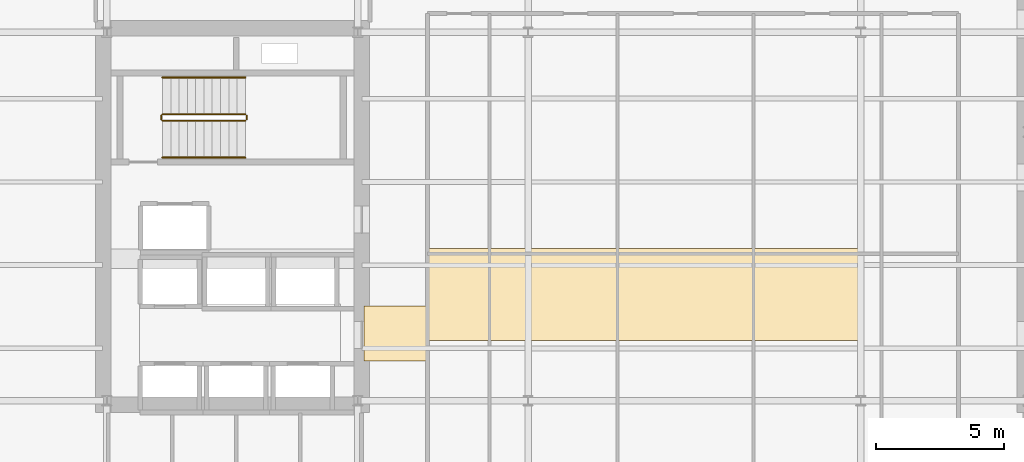
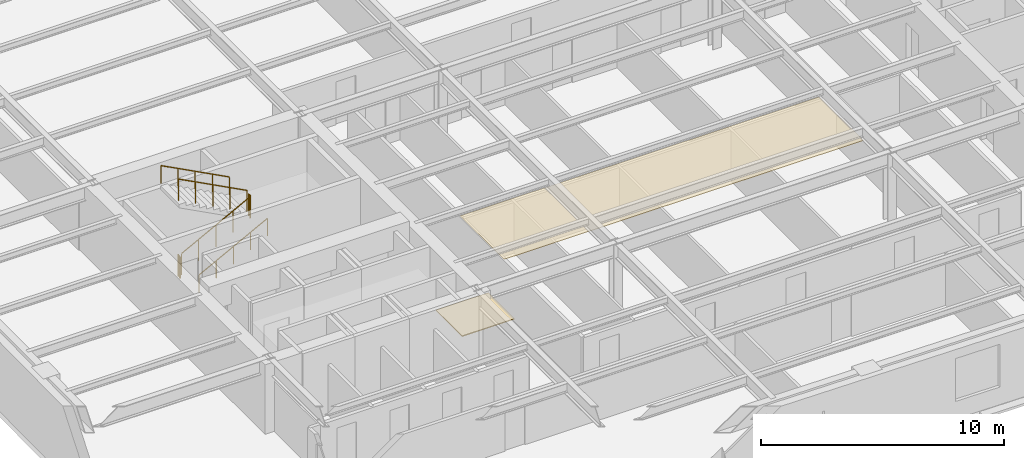
# One storey, part 9 of 12: 6 railings, 2 coverings.
"""IFC4 building model written with IfcOpenShell, lengths in metres."""

from ifc_helpers import new_model, si_unit, direction, frame, origin, origin_2d, place, context, subcontext, project, spatial, polyline, circle, outline, extrude, material, layer, layer_set, type_object, element, save


model = new_model("IFC4")

# Units and contexts
model_context = context("Model", 3, precision=1e-05, world=origin(), true_north=direction((0.0, 1.0)))
body_context = subcontext(model_context, "Body", "Model", "MODEL_VIEW")
ifc_project = project(units=[si_unit("LENGTHUNIT", "METRE"), si_unit("AREAUNIT", "SQUARE_METRE"), si_unit("VOLUMEUNIT", "CUBIC_METRE"), si_unit("PLANEANGLEUNIT", "RADIAN"), si_unit("MASSUNIT", "GRAM", prefix="KILO")], contexts=[model_context])

# Site, building, storey
site_placement = place(None, origin())
site = spatial("IfcSite", under=ifc_project, at=site_placement, CompositionType="ELEMENT")
building_placement = place(site_placement, origin())
building = spatial("IfcBuilding", under=site, at=building_placement, Name="Kolvaren Arena Tower", CompositionType="ELEMENT")
storey_placement = place(building_placement, frame((0.0, 0.0, 165.949951171875)))
storey = spatial("IfcBuildingStorey", under=building, at=storey_placement, Name="L39", CompositionType="ELEMENT", Elevation=165.949951171875)

# Coverings
ifc_material_1 = material(Name="Mineral fibre acoustic ceiling tile", Category="gypsum")
ifc_layer_1 = layer(ifc_material_1, 0.02490234375)
ifc_layer_set_1 = layer_set([ifc_layer_1], Name="Mineral fibre acoustic ceiling tile")
covering_type_1 = type_object("IfcCoveringType", Name="CEIL-ACT-1", PredefinedType="CEILING", material=ifc_layer_set_1)
covering_1_placement = place(storey_placement, frame((0.0, 0.0, 2.52001953125)))
element("IfcCovering", 1, at=covering_1_placement, inside=storey, type_object=covering_type_1, Name="Suspended Ceiling (L39)", PredefinedType="CEILING", context=body_context, shape_type="SweptSolid", body=[
    extrude(outline(polyline([(27.050048828125, 21.800048828125), (27.050048828125, 25.39990234375), (44.10009765625, 25.39990234375), (44.10009765625, 21.800048828125), (27.050048828125, 21.800048828125)])), origin(), (0.0, 0.0, 1.0), 0.025146484375),
])
ifc_material_2 = material(Name="Raised access office floor finish", Category="aluminium")
ifc_layer_2 = layer(ifc_material_2, 0.044921875)
ifc_layer_set_2 = layer_set([ifc_layer_2], Name="Raised access office floor finish")
covering_type_2 = type_object("IfcCoveringType", Name="FLOR-RAF-1", PredefinedType="FLOORING", material=ifc_layer_set_2)
covering_2_placement = place(storey_placement, origin())
element("IfcCovering", 2, at=covering_2_placement, inside=storey, type_object=covering_type_2, Name="Floor Finish (L39)", PredefinedType="FLOORING", context=body_context, shape_type="SweptSolid", body=[
    extrude(outline(polyline([(24.60009765625, 21.0), (24.60009765625, 23.14990234375), (27.080078125, 23.14990234375), (27.080078125, 21.0), (24.60009765625, 21.0)])), origin(), (0.0, 0.0, 1.0), 0.045166015625),
])

# Railings
ifc_material_3 = material(Name="Painted galvanized steel", Category="steel")
railing_type_1 = type_object("IfcRailingType", Name="GUARD-ST-110", PredefinedType="GUARDRAIL", material=ifc_material_3)
railing_1_placement = place(storey_placement, frame((16.719970703125, 30.389892578125, 0.17041015625)))
element("IfcRailing", 3, at=railing_1_placement, inside=storey, type_object=railing_type_1, Name="L39 ST-W1 stair guard 1", PredefinedType="GUARDRAIL", context=body_context, shape_type="SweptSolid", body=[
    extrude(circle(Radius=0.02392578125, at=origin_2d()), frame((0.0, 0.0, 1.076171875), z_axis=(0.884993431791, 0.0, 0.465603506952), x_axis=(0.0, 1.0, 0.0)), (0.0, 0.0, 1.0), 3.6611328125),
    extrude(circle(Radius=0.02099609375, at=origin_2d()), origin(), (0.0, 0.0, 1.0), 1.052001953125),
    extrude(circle(Radius=0.02099609375, at=origin_2d()), frame((0.81005859375, 0.0, 0.42626953125)), (0.0, 0.0, 1.0), 1.052001953125),
    extrude(circle(Radius=0.02099609375, at=origin_2d()), frame((1.6201171875, 0.0, 0.852294921875)), (0.0, 0.0, 1.0), 1.052001953125),
    extrude(circle(Radius=0.02099609375, at=origin_2d()), frame((2.429931640625, 0.0, 1.2783203125)), (0.0, 0.0, 1.0), 1.052001953125),
    extrude(circle(Radius=0.02099609375, at=origin_2d()), frame((3.239990234375, 0.0, 1.70458984375)), (0.0, 0.0, 1.0), 1.052001953125),
])
railing_2_placement = place(storey_placement, frame((20.010009765625, 30.43994140625, 1.875)))
element("IfcRailing", 4, at=railing_2_placement, inside=storey, type_object=railing_type_1, Name="L39 ST-W1 stair guard 2", PredefinedType="GUARDRAIL", context=body_context, shape_type="SweptSolid", body=[
    extrude(circle(Radius=0.02392578125, at=origin_2d()), frame((0.0, 0.0, 1.076171875), z_axis=(0.0, 1.0, 0.0), x_axis=(-1.0, 0.0, 0.0)), (0.0, 0.0, 1.0), 0.150146484375),
    extrude(circle(Radius=0.02099609375, at=origin_2d()), origin(), (0.0, 0.0, 1.0), 1.052001953125),
    extrude(circle(Radius=0.02099609375, at=origin_2d()), frame((0.0, 0.150146484375, 0.0)), (0.0, 0.0, 1.0), 1.052001953125),
])
railing_3_placement = place(storey_placement, frame((19.9599609375, 30.639892578125, 2.04541015625)))
element("IfcRailing", 5, at=railing_3_placement, inside=storey, type_object=railing_type_1, Name="L39 ST-W1 stair guard 3", PredefinedType="GUARDRAIL", context=body_context, shape_type="SweptSolid", body=[
    extrude(circle(Radius=0.02392578125, at=origin_2d()), frame((0.0, 0.0, 1.076171875), z_axis=(-0.884993431791, 0.0, 0.465603506952), x_axis=(0.0, -1.0, 0.0)), (0.0, 0.0, 1.0), 3.6611328125),
    extrude(circle(Radius=0.02099609375, at=origin_2d()), origin(), (0.0, 0.0, 1.0), 1.052001953125),
    extrude(circle(Radius=0.02099609375, at=origin_2d()), frame((-0.81005859375, 0.0, 0.42626953125)), (0.0, 0.0, 1.0), 1.052001953125),
    extrude(circle(Radius=0.02099609375, at=origin_2d()), frame((-1.6201171875, 0.0, 0.852294921875)), (0.0, 0.0, 1.0), 1.052001953125),
    extrude(circle(Radius=0.02099609375, at=origin_2d()), frame((-2.429931640625, 0.0, 1.2783203125)), (0.0, 0.0, 1.0), 1.052001953125),
    extrude(circle(Radius=0.02099609375, at=origin_2d()), frame((-3.239990234375, 0.0, 1.70458984375)), (0.0, 0.0, 1.0), 1.052001953125),
])
railing_4_placement = place(storey_placement, frame((16.669921875, 30.43994140625, 0.0)))
element("IfcRailing", 6, at=railing_4_placement, inside=storey, type_object=railing_type_1, Name="L39 ST-W1 stair guard 4", PredefinedType="GUARDRAIL", context=body_context, shape_type="SweptSolid", body=[
    extrude(circle(Radius=0.02392578125, at=origin_2d()), frame((0.0, 0.0, 1.076171875), z_axis=(0.0, 1.0, 0.0), x_axis=(-1.0, 0.0, 0.0)), (0.0, 0.0, 1.0), 0.150146484375),
    extrude(circle(Radius=0.02099609375, at=origin_2d()), origin(), (0.0, 0.0, 1.0), 1.052001953125),
    extrude(circle(Radius=0.02099609375, at=origin_2d()), frame((0.0, 0.150146484375, 0.0)), (0.0, 0.0, 1.0), 1.052001953125),
])
ifc_material_4 = material(Name="Brushed stainless steel handrail", Category="steel")
railing_type_2 = type_object("IfcRailingType", Name="HRAIL-900", PredefinedType="HANDRAIL", material=ifc_material_4)
railing_5_placement = place(storey_placement, frame((16.719970703125, 28.949951171875, 0.17041015625)))
element("IfcRailing", 7, at=railing_5_placement, inside=storey, type_object=railing_type_2, Name="L39 ST-W1 stair handrail 1", PredefinedType="HANDRAIL", context=body_context, shape_type="SweptSolid", body=[
    extrude(circle(Radius=0.02392578125, at=origin_2d()), frame((0.0, 0.0, 0.8759765625), z_axis=(0.884993431791, 0.0, 0.465603506952), x_axis=(0.0, 1.0, 0.0)), (0.0, 0.0, 1.0), 3.6611328125),
    extrude(circle(Radius=0.02099609375, at=origin_2d()), origin(), (0.0, 0.0, 1.0), 0.851806640625),
    extrude(circle(Radius=0.02099609375, at=origin_2d()), frame((0.81005859375, 0.0, 0.42626953125)), (0.0, 0.0, 1.0), 0.851806640625),
    extrude(circle(Radius=0.02099609375, at=origin_2d()), frame((1.6201171875, 0.0, 0.852294921875)), (0.0, 0.0, 1.0), 0.851806640625),
    extrude(circle(Radius=0.02099609375, at=origin_2d()), frame((2.429931640625, 0.0, 1.2783203125)), (0.0, 0.0, 1.0), 0.851806640625),
    extrude(circle(Radius=0.02099609375, at=origin_2d()), frame((3.239990234375, 0.0, 1.70458984375)), (0.0, 0.0, 1.0), 0.851806640625),
])
railing_6_placement = place(storey_placement, frame((19.9599609375, 32.080078125, 2.04541015625)))
element("IfcRailing", 8, at=railing_6_placement, inside=storey, type_object=railing_type_2, Name="L39 ST-W1 stair handrail 2", PredefinedType="HANDRAIL", context=body_context, shape_type="SweptSolid", body=[
    extrude(circle(Radius=0.02392578125, at=origin_2d()), frame((0.0, 0.0, 0.8759765625), z_axis=(-0.884993431791, 0.0, 0.465603506952), x_axis=(0.0, -1.0, 0.0)), (0.0, 0.0, 1.0), 3.6611328125),
    extrude(circle(Radius=0.02099609375, at=origin_2d()), origin(), (0.0, 0.0, 1.0), 0.851806640625),
    extrude(circle(Radius=0.02099609375, at=origin_2d()), frame((-0.81005859375, 0.0, 0.42626953125)), (0.0, 0.0, 1.0), 0.851806640625),
    extrude(circle(Radius=0.02099609375, at=origin_2d()), frame((-1.6201171875, 0.0, 0.852294921875)), (0.0, 0.0, 1.0), 0.851806640625),
    extrude(circle(Radius=0.02099609375, at=origin_2d()), frame((-2.429931640625, 0.0, 1.2783203125)), (0.0, 0.0, 1.0), 0.851806640625),
    extrude(circle(Radius=0.02099609375, at=origin_2d()), frame((-3.239990234375, 0.0, 1.70458984375)), (0.0, 0.0, 1.0), 0.851806640625),
])

save(model, "model.ifc")
